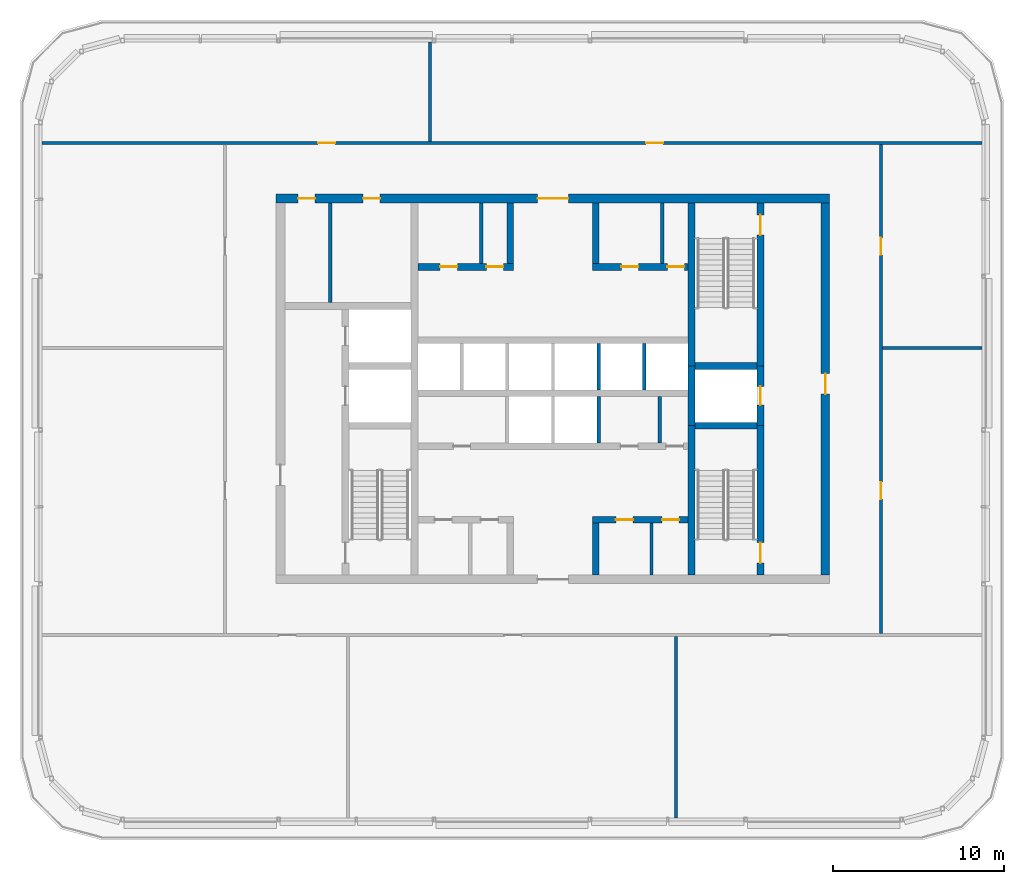
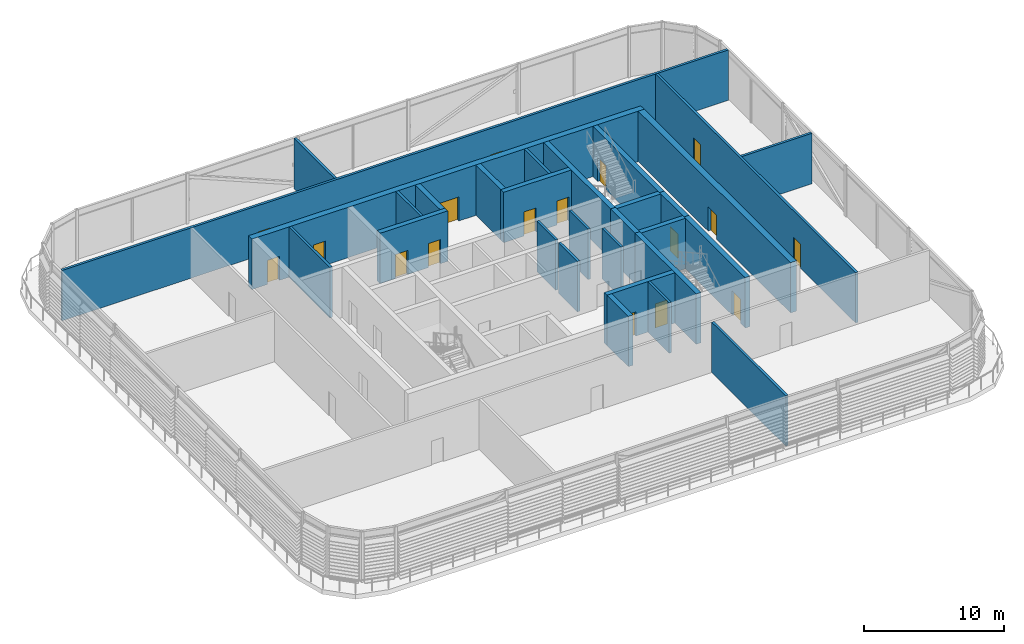
# One storey, part 16 of 29: 29 walls, 17 doors, 17 openings.
"""IFC4 building model written with IfcOpenShell, lengths in metres."""

import ifcopenshell
import ifcopenshell.guid

model = None  # the IFC model being written
_history = None  # IfcOwnerHistory: only IFC2X3 demands one
_inside = {}  # id of a spatial element -> (the spatial element, [elements in it])
_under = {}  # id of a project, library or spatial element -> (it, [spatial elements below it])
_declared = {}  # id of a project -> (the project, [libraries it declares])
_typed = {}  # id of a type object -> (the type object, [elements of that type])
_made_of = {}  # id of a material, layer set ... -> (it, [elements and type objects made of it])


def new_model(schema):
    """Start an empty IFC model of exactly this schema.

    Asked for "IFC4X3", IfcOpenShell would pick the latest addendum, in which some entities
    have other attributes; the version numbers below select the first issue.
    IFC2X3 requires an IfcOwnerHistory on every rooted entity: one is made here for all.
    """
    global model, _history
    if schema == "IFC4X3":
        model = ifcopenshell.file(schema_version=(4, 3, 0, 0))
    else:
        model = ifcopenshell.file(schema=schema)
    _inside.clear()
    _under.clear()
    _declared.clear()
    _typed.clear()
    _made_of.clear()
    _history = None
    if model.schema == "IFC2X3":
        org = make("IfcOrganization", Name="unknown")
        user = make(
            "IfcPersonAndOrganization",
            ThePerson=make("IfcPerson", FamilyName="unknown"),
            TheOrganization=org,
        )
        app = make(
            "IfcApplication",
            ApplicationDeveloper=org,
            Version="unknown",
            ApplicationFullName="unknown",
            ApplicationIdentifier="unknown",
        )
        _history = make(
            "IfcOwnerHistory",
            OwningUser=user,
            OwningApplication=app,
            ChangeAction="ADDED",
            CreationDate=0,
        )
    return model


def make(cls, **values):
    """One entity of the class cls with the attributes given. An attribute that is None is left unset."""
    return model.create_entity(
        cls, **{name: value for name, value in values.items() if value is not None}
    )


def rooted(cls, **values):
    """An entity with a GlobalId (a new one), such as an element, a storey or a relation."""
    return make(cls, GlobalId=ifcopenshell.guid.new(), OwnerHistory=_history, **values)


def si_unit(unit_type, name, prefix=None):
    """IfcSIUnit, for example si_unit("LENGTHUNIT", "METRE", prefix="MILLI")."""
    return make("IfcSIUnit", UnitType=unit_type, Prefix=prefix, Name=name)


def assignment(units):
    """IfcUnitAssignment: the units of a project."""
    return None if units is None else make("IfcUnitAssignment", Units=units)


def point(xyz):
    """IfcCartesianPoint."""
    return None if xyz is None else make("IfcCartesianPoint", Coordinates=xyz)


def direction(xyz):
    """IfcDirection."""
    return None if xyz is None else make("IfcDirection", DirectionRatios=xyz)


def frame(location, z_axis=None, x_axis=None):
    """IfcAxis2Placement3D, a coordinate frame: its origin and axes. An axis left out is left unset."""
    return make(
        "IfcAxis2Placement3D",
        Location=point(location),
        Axis=direction(z_axis),
        RefDirection=direction(x_axis),
    )


def frame_2d(location, x_axis=None):
    """IfcAxis2Placement2D, a coordinate frame in the plane: its origin and x axis."""
    return make(
        "IfcAxis2Placement2D", Location=point(location), RefDirection=direction(x_axis)
    )


def origin():
    """The frame at (0, 0, 0) with its axes left unset."""
    return frame((0.0, 0.0, 0.0))


def place(relative_to, where):
    """IfcLocalPlacement: puts the frame where relative to a parent placement (None: the world)."""
    return make(
        "IfcLocalPlacement", PlacementRelTo=relative_to, RelativePlacement=where
    )


def context(
    kind, dimensions, precision=None, world=None, true_north=None, identifier=None
):
    """IfcGeometricRepresentationContext, for example the 3D "Model" context."""
    return make(
        "IfcGeometricRepresentationContext",
        ContextIdentifier=identifier,
        ContextType=kind,
        CoordinateSpaceDimension=dimensions,
        Precision=precision,
        WorldCoordinateSystem=world,
        TrueNorth=true_north,
    )


def subcontext(parent, identifier, kind, view, scale=None):
    """IfcGeometricRepresentationSubContext, for example "Body" below "Model"."""
    return make(
        "IfcGeometricRepresentationSubContext",
        ContextIdentifier=identifier,
        ContextType=kind,
        ParentContext=parent,
        TargetScale=scale,
        TargetView=view,
    )


def project(units=None, contexts=None):
    """IfcProject with its units and contexts."""
    return rooted(
        "IfcProject",
        Name="project",
        RepresentationContexts=contexts,
        UnitsInContext=assignment(units),
    )


def spatial(cls, under=None, at=None, **own):
    """A site, building, storey or space (cls), placed at a placement, below another one or the project."""
    s = rooted(cls, ObjectPlacement=at, **own)
    if under is not None:
        _under.setdefault(under.id(), (under, []))[1].append(s)
    return s


def profile(cls, at=None, kind="AREA", **sizes):
    """A parametric profile (cls). Its sizes go by their IFC names, for example OverallWidth=200.0."""
    return make(cls, ProfileType=kind, Position=at, **sizes)


def rectangle(**sizes):
    """IfcRectangleProfileDef."""
    return profile("IfcRectangleProfileDef", **sizes)


def extrude(swept, where, along, depth):
    """IfcExtrudedAreaSolid: the profile swept, set in the frame where, extruded along a direction by depth."""
    return make(
        "IfcExtrudedAreaSolid",
        SweptArea=swept,
        Position=where,
        ExtrudedDirection=direction(along),
        Depth=depth,
    )


def shape(context_of_items, identifier, shape_type, items):
    """IfcShapeRepresentation: the items that make up one representation, for example the "Body"."""
    return make(
        "IfcShapeRepresentation",
        ContextOfItems=context_of_items,
        RepresentationIdentifier=identifier,
        RepresentationType=shape_type,
        Items=items,
    )


def material(Name=None, Category=None):
    """IfcMaterial."""
    return make("IfcMaterial", Name=Name, Category=Category)


def layer(
    of_material, thickness, ventilated=None, Name=None, Category=None, Priority=None
):
    """IfcMaterialLayer: one layer of a wall or slab, of a material (None: an air gap)."""
    return make(
        "IfcMaterialLayer",
        Material=of_material,
        LayerThickness=thickness,
        IsVentilated=ventilated,
        Name=Name,
        Category=Category,
        Priority=Priority,
    )


def layer_set(layers, Name=None):
    """IfcMaterialLayerSet."""
    return make("IfcMaterialLayerSet", MaterialLayers=layers, LayerSetName=Name)


def made_of(thing, what):
    """Note that an element or type object is made of a material, layer set ...; save() writes the relation."""
    if what is not None:
        _made_of.setdefault(what.id(), (what, []))[1].append(thing)
    return thing


def type_object(cls, material=None, **own):
    """A type object (cls), such as IfcWallType, which elements share."""
    return made_of(rooted(cls, **own), material)


def element(
    cls,
    number,
    at=None,
    inside=None,
    cuts=None,
    type_object=None,
    material=None,
    context=None,
    identifier="Body",
    shape_type=None,
    held_by="IfcProductDefinitionShape",
    body=None,
    shapes=None,
    **own,
):
    """One element of the class cls, such as IfcWall. Its Tag is "e" and its number.

    at: its placement. inside: the storey or other place that contains it. cuts: it is an
    opening in that element (IfcRelVoidsElement). A single representation is given by context,
    identifier, shape_type and body (its items); several are given by shapes. held_by: the class
    of the entity that holds the representations. save() writes the other relations.
    """
    e = rooted(cls, Tag="e%d" % number, ObjectPlacement=at, **own)
    if body is not None:
        shapes = [shape(context, identifier, shape_type, body)]
    if shapes is not None:
        e.Representation = make(held_by, Representations=shapes)
    if inside is not None:
        _inside.setdefault(inside.id(), (inside, []))[1].append(e)
    if cuts is not None:
        rooted(
            "IfcRelVoidsElement", RelatingBuildingElement=cuts, RelatedOpeningElement=e
        )
    if type_object is not None:
        _typed.setdefault(type_object.id(), (type_object, []))[1].append(e)
    return made_of(e, material)


def fill(opening, filler):
    """IfcRelFillsElement: the door or window that sits in an opening."""
    return rooted(
        "IfcRelFillsElement",
        RelatingOpeningElement=opening,
        RelatedBuildingElement=filler,
    )


def aggregate(whole, parts):
    """IfcRelAggregates: a whole, such as a stair, and the parts it consists of."""
    return rooted("IfcRelAggregates", RelatingObject=whole, RelatedObjects=parts)


def save(model, path):
    """Write the relations noted so far, then the file.

    IfcRelAggregates (storeys below a building ...), IfcRelContainedInSpatialStructure (elements
    in a storey), IfcRelDefinesByType, IfcRelAssociatesMaterial and IfcRelDeclares: one each for
    every whole, place, type object, material and project.
    """
    for whole, parts in _under.values():
        aggregate(whole, parts)
    for where, things in _inside.values():
        rooted(
            "IfcRelContainedInSpatialStructure",
            RelatedElements=things,
            RelatingStructure=where,
        )
    for kind, things in _typed.values():
        rooted("IfcRelDefinesByType", RelatedObjects=things, RelatingType=kind)
    for what, things in _made_of.values():
        rooted("IfcRelAssociatesMaterial", RelatedObjects=things, RelatingMaterial=what)
    for by, libraries in _declared.values():
        rooted("IfcRelDeclares", RelatingContext=by, RelatedDefinitions=libraries)
    model.write(path)


model = new_model("IFC4")

# Units and contexts
model_context = context("Model", 3, precision=1e-05, world=origin(), true_north=direction((0.0, 1.0)))
body_context = subcontext(model_context, "Body", "Model", "MODEL_VIEW")
ifc_project = project(units=[si_unit("LENGTHUNIT", "METRE"), si_unit("AREAUNIT", "SQUARE_METRE"), si_unit("VOLUMEUNIT", "CUBIC_METRE"), si_unit("PLANEANGLEUNIT", "RADIAN"), si_unit("MASSUNIT", "GRAM", prefix="KILO")], contexts=[model_context])

# Site, building, storey
site_placement = place(None, origin())
site = spatial("IfcSite", under=ifc_project, at=site_placement, CompositionType="ELEMENT")
building_placement = place(site_placement, origin())
building = spatial("IfcBuilding", under=site, at=building_placement, Name="Madar Terraces", CompositionType="ELEMENT")
storey_placement = place(building_placement, frame((0.0, 0.0, 296.300048828125)))
storey = spatial("IfcBuildingStorey", under=building, at=storey_placement, Name="L77", CompositionType="ELEMENT", Elevation=296.300048828125)

# Walls
ifc_material_1 = material(Name="Concrete C50/60", Category="concrete")
ifc_layer_1 = layer(ifc_material_1, 0.39990234375)
ifc_layer_set_1 = layer_set([ifc_layer_1], Name="Concrete C50/60 (CIW6 RC wall 400)")
wall_type_1 = type_object("IfcWallType", Name="CIW6 RC wall 400", PredefinedType="SHEAR", material=ifc_layer_set_1)
wall_1_placement = place(storey_placement, frame((39.300048828125, 15.5, 0.0), z_axis=(0.0, 0.0, 1.0), x_axis=(0.0, 1.0, 0.0)))
element("IfcWall", 1, at=wall_1_placement, inside=storey, type_object=wall_type_1, Name="CORE SHAFT WALL", PredefinedType="SHEAR", context=body_context, shape_type="SweptSolid", body=[
    extrude(rectangle(XDim=8.75, YDim=0.39990234375, at=frame_2d((4.375, 0.0))), origin(), (0.0, 0.0, 1.0), 4.39990234375),
])
wall_2_placement = place(storey_placement, frame((39.300048828125, 24.25, 0.0), z_axis=(0.0, 0.0, 1.0), x_axis=(0.0, 1.0, 0.0)))
element("IfcWall", 2, at=wall_2_placement, inside=storey, type_object=wall_type_1, Name="CORE SHAFT WALL", PredefinedType="SHEAR", context=body_context, shape_type="SweptSolid", body=[
    extrude(rectangle(XDim=3.5, YDim=0.39990234375, at=frame_2d((1.75, 0.0))), origin(), (0.0, 0.0, 1.0), 4.39990234375),
])
wall_3_placement = place(storey_placement, frame((39.300048828125, 27.75, 0.0), z_axis=(0.0, 0.0, 1.0), x_axis=(0.0, 1.0, 0.0)))
element("IfcWall", 3, at=wall_3_placement, inside=storey, type_object=wall_type_1, Name="CORE SHAFT WALL", PredefinedType="SHEAR", context=body_context, shape_type="SweptSolid", body=[
    extrude(rectangle(XDim=9.550048828125, YDim=0.39990234375, at=frame_2d((4.77490234375, 0.0))), origin(), (0.0, 0.0, 1.0), 4.39990234375),
])

# Wall, opening, door
wall_4_placement = place(storey_placement, frame((43.35009765625, 15.5, 0.0), z_axis=(0.0, 0.0, 1.0), x_axis=(0.0, 1.0, 0.0)))
wall_4 = element("IfcWall", 4, at=wall_4_placement, inside=storey, type_object=wall_type_1, Name="CORE SHAFT WALL", PredefinedType="SHEAR", context=body_context, shape_type="SweptSolid", body=[
    extrude(rectangle(XDim=8.75, YDim=0.39990234375, at=frame_2d((4.375, 0.0))), origin(), (0.0, 0.0, 1.0), 4.39990234375),
])
opening_1_placement = place(wall_4_placement, frame((0.699951171875, 0.0, 0.0)))
opening_1 = element("IfcOpeningElement", 5, at=opening_1_placement, cuts=wall_4, Name="Opening SD1", PredefinedType="OPENING", context=body_context, shape_type="SweptSolid", body=[
    extrude(rectangle(XDim=1.199951171875, YDim=2.10009765625, at=frame_2d((0.60009765625, 1.050048828125))), frame((0.0, 0.2099609375, 0.0), z_axis=(0.0, -1.0, 0.0), x_axis=(1.0, 0.0, 0.0)), (0.0, 0.0, 1.0), 0.419921875),
])
ifc_material_2 = material(Name="Steel door leaf", Category="steel")
door_type_1 = type_object("IfcDoorType", Name="Stair door 1200 x 2100", OperationType="NOTDEFINED", PredefinedType="DOOR", material=ifc_material_2)
door_1_placement = place(opening_1_placement, origin())
door_1 = element("IfcDoor", 6, at=door_1_placement, inside=storey, type_object=door_type_1, Name="STAIR DOOR", OperationType="SINGLE_SWING_RIGHT", OverallHeight=2.10009765625, OverallWidth=1.199951171875, PredefinedType="DOOR", context=body_context, shape_type="SweptSolid", body=[
    extrude(rectangle(XDim=1.199951171875, YDim=2.10009765625, at=frame_2d((0.60009765625, 1.050048828125))), frame((0.0, 0.02490234375, 0.0), z_axis=(0.0, -1.0, 0.0), x_axis=(1.0, 0.0, 0.0)), (0.0, 0.0, 1.0), 0.050048828125),
])
fill(opening_1, door_1)

wall_5_placement = place(storey_placement, frame((43.35009765625, 24.25, 0.0), z_axis=(0.0, 0.0, 1.0), x_axis=(0.0, 1.0, 0.0)))
wall_5 = element("IfcWall", 7, at=wall_5_placement, inside=storey, type_object=wall_type_1, Name="CORE SHAFT WALL", PredefinedType="SHEAR", context=body_context, shape_type="SweptSolid", body=[
    extrude(rectangle(XDim=3.5, YDim=0.39990234375, at=frame_2d((1.75, 0.0))), origin(), (0.0, 0.0, 1.0), 4.39990234375),
])
opening_2_placement = place(wall_5_placement, frame((1.199951171875, 0.0, 0.0)))
opening_2 = element("IfcOpeningElement", 8, at=opening_2_placement, cuts=wall_5, Name="Opening LD", PredefinedType="OPENING", context=body_context, shape_type="SweptSolid", body=[
    extrude(rectangle(XDim=1.10009765625, YDim=2.10009765625, at=frame_2d((0.550048828125, 1.050048828125))), frame((0.0, 0.2099609375, 0.0), z_axis=(0.0, -1.0, 0.0), x_axis=(1.0, 0.0, 0.0)), (0.0, 0.0, 1.0), 0.419921875),
])
ifc_material_3 = material(Name="Stainless steel panel", Category="steel")
door_type_2 = type_object("IfcDoorType", Name="Lift landing door 1100 x 2100", OperationType="DOUBLE_DOOR_SLIDING", PredefinedType="DOOR", material=ifc_material_3)
door_2_placement = place(opening_2_placement, origin())
door_2 = element("IfcDoor", 9, at=door_2_placement, inside=storey, type_object=door_type_2, Name="LIFT LANDING DOOR", OperationType="DOUBLE_DOOR_SLIDING", OverallHeight=2.10009765625, OverallWidth=1.10009765625, PredefinedType="DOOR", context=body_context, shape_type="SweptSolid", body=[
    extrude(rectangle(XDim=1.10009765625, YDim=2.10009765625, at=frame_2d((0.550048828125, 1.050048828125))), frame((0.0, 0.02490234375, 0.0), z_axis=(0.0, -1.0, 0.0), x_axis=(1.0, 0.0, 0.0)), (0.0, 0.0, 1.0), 0.050048828125),
])
fill(opening_2, door_2)

wall_6_placement = place(storey_placement, frame((43.35009765625, 27.75, 0.0), z_axis=(0.0, 0.0, 1.0), x_axis=(0.0, 1.0, 0.0)))
wall_6 = element("IfcWall", 10, at=wall_6_placement, inside=storey, type_object=wall_type_1, Name="CORE SHAFT WALL", PredefinedType="SHEAR", context=body_context, shape_type="SweptSolid", body=[
    extrude(rectangle(XDim=9.550048828125, YDim=0.39990234375, at=frame_2d((4.77490234375, 0.0))), origin(), (0.0, 0.0, 1.0), 4.39990234375),
])
opening_3_placement = place(wall_6_placement, frame((7.64990234375, 0.0, 0.0)))
opening_3 = element("IfcOpeningElement", 11, at=opening_3_placement, cuts=wall_6, Name="Opening SD1", PredefinedType="OPENING", context=body_context, shape_type="SweptSolid", body=[
    extrude(rectangle(XDim=1.199951171875, YDim=2.10009765625, at=frame_2d((0.60009765625, 1.050048828125))), frame((0.0, 0.2099609375, 0.0), z_axis=(0.0, -1.0, 0.0), x_axis=(1.0, 0.0, 0.0)), (0.0, 0.0, 1.0), 0.419921875),
])
door_3_placement = place(opening_3_placement, origin())
door_3 = element("IfcDoor", 12, at=door_3_placement, inside=storey, type_object=door_type_1, Name="STAIR DOOR", OperationType="SINGLE_SWING_LEFT", OverallHeight=2.10009765625, OverallWidth=1.199951171875, PredefinedType="DOOR", context=body_context, shape_type="SweptSolid", body=[
    extrude(rectangle(XDim=1.199951171875, YDim=2.10009765625, at=frame_2d((0.60009765625, 1.050048828125))), frame((0.0, 0.02490234375, 0.0), z_axis=(0.0, -1.0, 0.0), x_axis=(1.0, 0.0, 0.0)), (0.0, 0.0, 1.0), 0.050048828125),
])
fill(opening_3, door_3)

# Walls
for number, where, z_axis, x_axis, name in (
    (13, (39.5, 24.25, 0.0), (0.0, 0.0, 1.0), (1.0, 0.0, 0.0), "CORE SHAFT WALL"),
    (14, (39.5, 27.75, 0.0), (0.0, 0.0, 1.0), (1.0, 0.0, 0.0), "CORE SHAFT WALL"),
):
    element("IfcWall", number, at=place(storey_placement, frame(where, z_axis=z_axis, x_axis=x_axis)), inside=storey, type_object=wall_type_1, Name=name, PredefinedType="SHEAR", context=body_context, shape_type="SweptSolid", body=[
        extrude(rectangle(XDim=3.64990234375, YDim=0.39990234375, at=frame_2d((1.824951171875, 0.0))), origin(), (0.0, 0.0, 1.0), 4.39990234375),
    ])

# Wall, openings, doors
wall_7_placement = place(storey_placement, frame((33.5, 18.75, 0.0), z_axis=(0.0, 0.0, 1.0), x_axis=(1.0, 0.0, 0.0)))
wall_7 = element("IfcWall", 15, at=wall_7_placement, inside=storey, type_object=wall_type_1, Name="CORE SHAFT WALL", PredefinedType="SHEAR", context=body_context, shape_type="SweptSolid", body=[
    extrude(rectangle(XDim=5.60009765625, YDim=0.39990234375, at=frame_2d((2.800048828125, 0.0))), origin(), (0.0, 0.0, 1.0), 4.39990234375),
])
opening_4_placement = place(wall_7_placement, frame((1.384033203125, 0.0, 0.0)))
opening_4 = element("IfcOpeningElement", 16, at=opening_4_placement, cuts=wall_7, Name="Opening KD2", PredefinedType="OPENING", context=body_context, shape_type="SweptSolid", body=[
    extrude(rectangle(XDim=1.0, YDim=2.10009765625, at=frame_2d((0.5, 1.050048828125))), frame((0.0, 0.2099609375, 0.0), z_axis=(0.0, -1.0, 0.0), x_axis=(1.0, 0.0, 0.0)), (0.0, 0.0, 1.0), 0.419921875),
])
opening_5_placement = place(wall_7_placement, frame((4.083984375, 0.0, 0.0)))
opening_5 = element("IfcOpeningElement", 17, at=opening_5_placement, cuts=wall_7, Name="Opening KD2", PredefinedType="OPENING", context=body_context, shape_type="SweptSolid", body=[
    extrude(rectangle(XDim=1.0, YDim=2.10009765625, at=frame_2d((0.5, 1.050048828125))), frame((0.0, 0.2099609375, 0.0), z_axis=(0.0, -1.0, 0.0), x_axis=(1.0, 0.0, 0.0)), (0.0, 0.0, 1.0), 0.419921875),
])
ifc_material_4 = material(Name="Steel door leaf", Category="steel")
door_type_3 = type_object("IfcDoorType", Name="Service room door 1000 x 2100", OperationType="NOTDEFINED", PredefinedType="DOOR", material=ifc_material_4)
door_4_placement = place(opening_4_placement, origin())
door_4 = element("IfcDoor", 18, at=door_4_placement, inside=storey, type_object=door_type_3, Name="SERVICE ROOM DOOR", OperationType="SINGLE_SWING_LEFT", OverallHeight=2.10009765625, OverallWidth=1.0, PredefinedType="DOOR", context=body_context, shape_type="SweptSolid", body=[
    extrude(rectangle(XDim=1.0, YDim=2.10009765625, at=frame_2d((0.5, 1.050048828125))), frame((0.0, 0.02490234375, 0.0), z_axis=(0.0, -1.0, 0.0), x_axis=(1.0, 0.0, 0.0)), (0.0, 0.0, 1.0), 0.050048828125),
])
fill(opening_4, door_4)
door_5_placement = place(opening_5_placement, origin())
door_5 = element("IfcDoor", 19, at=door_5_placement, inside=storey, type_object=door_type_3, Name="SERVICE ROOM DOOR", OperationType="SINGLE_SWING_RIGHT", OverallHeight=2.10009765625, OverallWidth=1.0, PredefinedType="DOOR", context=body_context, shape_type="SweptSolid", body=[
    extrude(rectangle(XDim=1.0, YDim=2.10009765625, at=frame_2d((0.5, 1.050048828125))), frame((0.0, 0.02490234375, 0.0), z_axis=(0.0, -1.0, 0.0), x_axis=(1.0, 0.0, 0.0)), (0.0, 0.0, 1.0), 0.050048828125),
])
fill(opening_5, door_5)

wall_8_placement = place(storey_placement, frame((23.300048828125, 33.550048828125, 0.0), z_axis=(0.0, 0.0, 1.0), x_axis=(1.0, 0.0, 0.0)))
wall_8 = element("IfcWall", 20, at=wall_8_placement, inside=storey, type_object=wall_type_1, Name="CORE SHAFT WALL", PredefinedType="SHEAR", context=body_context, shape_type="SweptSolid", body=[
    extrude(rectangle(XDim=5.599853515625, YDim=0.39990234375, at=frame_2d((2.7998046875, 0.0))), origin(), (0.0, 0.0, 1.0), 4.39990234375),
])
opening_6_placement = place(wall_8_placement, frame((1.2958984375, 0.0, 0.0)))
opening_6 = element("IfcOpeningElement", 21, at=opening_6_placement, cuts=wall_8, Name="Opening KD2", PredefinedType="OPENING", context=body_context, shape_type="SweptSolid", body=[
    extrude(rectangle(XDim=1.0, YDim=2.10009765625, at=frame_2d((0.5, 1.050048828125))), frame((0.0, 0.2099609375, 0.0), z_axis=(0.0, -1.0, 0.0), x_axis=(1.0, 0.0, 0.0)), (0.0, 0.0, 1.0), 0.419921875),
])
opening_7_placement = place(wall_8_placement, frame((3.99609375, 0.0, 0.0)))
opening_7 = element("IfcOpeningElement", 22, at=opening_7_placement, cuts=wall_8, Name="Opening KD2", PredefinedType="OPENING", context=body_context, shape_type="SweptSolid", body=[
    extrude(rectangle(XDim=1.0, YDim=2.10009765625, at=frame_2d((0.5, 1.050048828125))), frame((0.0, 0.2099609375, 0.0), z_axis=(0.0, -1.0, 0.0), x_axis=(1.0, 0.0, 0.0)), (0.0, 0.0, 1.0), 0.419921875),
])
door_6_placement = place(opening_6_placement, frame((1.0, 0.0, 0.0), z_axis=(0.0, 0.0, 1.0), x_axis=(-1.0, 0.0, 0.0)))
door_6 = element("IfcDoor", 23, at=door_6_placement, inside=storey, type_object=door_type_3, Name="SERVICE ROOM DOOR", OperationType="SINGLE_SWING_LEFT", OverallHeight=2.10009765625, OverallWidth=1.0, PredefinedType="DOOR", context=body_context, shape_type="SweptSolid", body=[
    extrude(rectangle(XDim=1.0, YDim=2.10009765625, at=frame_2d((0.5, 1.050048828125))), frame((0.0, 0.02490234375, 0.0), z_axis=(0.0, -1.0, 0.0), x_axis=(1.0, 0.0, 0.0)), (0.0, 0.0, 1.0), 0.050048828125),
])
fill(opening_6, door_6)
door_7_placement = place(opening_7_placement, frame((1.0, 0.0, 0.0), z_axis=(0.0, 0.0, 1.0), x_axis=(-1.0, 0.0, 0.0)))
door_7 = element("IfcDoor", 24, at=door_7_placement, inside=storey, type_object=door_type_3, Name="SERVICE ROOM DOOR", OperationType="SINGLE_SWING_RIGHT", OverallHeight=2.10009765625, OverallWidth=1.0, PredefinedType="DOOR", context=body_context, shape_type="SweptSolid", body=[
    extrude(rectangle(XDim=1.0, YDim=2.10009765625, at=frame_2d((0.5, 1.050048828125))), frame((0.0, 0.02490234375, 0.0), z_axis=(0.0, -1.0, 0.0), x_axis=(1.0, 0.0, 0.0)), (0.0, 0.0, 1.0), 0.050048828125),
])
fill(opening_7, door_7)

wall_9_placement = place(storey_placement, frame((33.5, 33.550048828125, 0.0), z_axis=(0.0, 0.0, 1.0), x_axis=(1.0, 0.0, 0.0)))
wall_9 = element("IfcWall", 25, at=wall_9_placement, inside=storey, type_object=wall_type_1, Name="CORE SHAFT WALL", PredefinedType="SHEAR", context=body_context, shape_type="SweptSolid", body=[
    extrude(rectangle(XDim=5.60009765625, YDim=0.39990234375, at=frame_2d((2.800048828125, 0.0))), origin(), (0.0, 0.0, 1.0), 4.39990234375),
])
opening_8_placement = place(wall_9_placement, frame((1.696044921875, 0.0, 0.0)))
opening_8 = element("IfcOpeningElement", 26, at=opening_8_placement, cuts=wall_9, Name="Opening KD2", PredefinedType="OPENING", context=body_context, shape_type="SweptSolid", body=[
    extrude(rectangle(XDim=1.0, YDim=2.10009765625, at=frame_2d((0.5, 1.050048828125))), frame((0.0, 0.2099609375, 0.0), z_axis=(0.0, -1.0, 0.0), x_axis=(1.0, 0.0, 0.0)), (0.0, 0.0, 1.0), 0.419921875),
])
opening_9_placement = place(wall_9_placement, frame((4.39599609375, 0.0, 0.0)))
opening_9 = element("IfcOpeningElement", 27, at=opening_9_placement, cuts=wall_9, Name="Opening KD2", PredefinedType="OPENING", context=body_context, shape_type="SweptSolid", body=[
    extrude(rectangle(XDim=1.0, YDim=2.10009765625, at=frame_2d((0.5, 1.050048828125))), frame((0.0, 0.2099609375, 0.0), z_axis=(0.0, -1.0, 0.0), x_axis=(1.0, 0.0, 0.0)), (0.0, 0.0, 1.0), 0.419921875),
])
door_8_placement = place(opening_8_placement, frame((1.0, 0.0, 0.0), z_axis=(0.0, 0.0, 1.0), x_axis=(-1.0, 0.0, 0.0)))
door_8 = element("IfcDoor", 28, at=door_8_placement, inside=storey, type_object=door_type_3, Name="SERVICE ROOM DOOR", OperationType="SINGLE_SWING_LEFT", OverallHeight=2.10009765625, OverallWidth=1.0, PredefinedType="DOOR", context=body_context, shape_type="SweptSolid", body=[
    extrude(rectangle(XDim=1.0, YDim=2.10009765625, at=frame_2d((0.5, 1.050048828125))), frame((0.0, 0.02490234375, 0.0), z_axis=(0.0, -1.0, 0.0), x_axis=(1.0, 0.0, 0.0)), (0.0, 0.0, 1.0), 0.050048828125),
])
fill(opening_8, door_8)
door_9_placement = place(opening_9_placement, frame((1.0, 0.0, 0.0), z_axis=(0.0, 0.0, 1.0), x_axis=(-1.0, 0.0, 0.0)))
door_9 = element("IfcDoor", 29, at=door_9_placement, inside=storey, type_object=door_type_3, Name="SERVICE ROOM DOOR", OperationType="SINGLE_SWING_RIGHT", OverallHeight=2.10009765625, OverallWidth=1.0, PredefinedType="DOOR", context=body_context, shape_type="SweptSolid", body=[
    extrude(rectangle(XDim=1.0, YDim=2.10009765625, at=frame_2d((0.5, 1.050048828125))), frame((0.0, 0.02490234375, 0.0), z_axis=(0.0, -1.0, 0.0), x_axis=(1.0, 0.0, 0.0)), (0.0, 0.0, 1.0), 0.050048828125),
])
fill(opening_9, door_9)

# Walls
wall_10_placement = place(storey_placement, frame((33.699951171875, 15.5, 0.0), z_axis=(0.0, 0.0, 1.0), x_axis=(0.0, 1.0, 0.0)))
element("IfcWall", 30, at=wall_10_placement, inside=storey, type_object=wall_type_1, Name="CORE SHAFT WALL", PredefinedType="SHEAR", context=body_context, shape_type="SweptSolid", body=[
    extrude(rectangle(XDim=3.050048828125, YDim=0.39990234375, at=frame_2d((1.52490234375, 0.0))), origin(), (0.0, 0.0, 1.0), 4.39990234375),
])
for number, where, z_axis, x_axis, name in (
    (31, (28.699951171875, 33.75, 0.0), (0.0, 0.0, 1.0), (0.0, 1.0, 0.0), "CORE SHAFT WALL"),
    (32, (33.699951171875, 33.75, 0.0), (0.0, 0.0, 1.0), (0.0, 1.0, 0.0), "CORE SHAFT WALL"),
):
    element("IfcWall", number, at=place(storey_placement, frame(where, z_axis=z_axis, x_axis=x_axis)), inside=storey, type_object=wall_type_1, Name=name, PredefinedType="SHEAR", context=body_context, shape_type="SweptSolid", body=[
        extrude(rectangle(XDim=3.550048828125, YDim=0.39990234375, at=frame_2d((1.77490234375, 0.0))), origin(), (0.0, 0.0, 1.0), 4.39990234375),
    ])

# Wall, openings, doors
ifc_material_5 = material(Name="Concrete C50/60", Category="concrete")
ifc_layer_2 = layer(ifc_material_5, 0.5)
ifc_layer_set_2 = layer_set([ifc_layer_2], Name="Concrete C50/60 (CRW6 RC wall 500)")
wall_type_2 = type_object("IfcWallType", Name="CRW6 RC wall 500", PredefinedType="SHEAR", material=ifc_layer_set_2)
wall_11_placement = place(storey_placement, frame((15.0, 37.550048828125, 0.0), z_axis=(0.0, 0.0, 1.0), x_axis=(1.0, 0.0, 0.0)))
wall_11 = element("IfcWall", 33, at=wall_11_placement, inside=storey, type_object=wall_type_2, Name="CORE OUTER WALL", PredefinedType="SHEAR", context=body_context, shape_type="SweptSolid", body=[
    extrude(rectangle(XDim=32.39990234375, YDim=0.5, at=frame_2d((16.199951171875, 0.0))), origin(), (0.0, 0.0, 1.0), 4.39990234375),
])
opening_10_placement = place(wall_11_placement, frame((15.300048828125, 0.0, 0.0)))
opening_10 = element("IfcOpeningElement", 34, at=opening_10_placement, cuts=wall_11, Name="Opening KD1", PredefinedType="OPENING", context=body_context, shape_type="SweptSolid", body=[
    extrude(rectangle(XDim=1.800048828125, YDim=2.10009765625, at=frame_2d((0.89990234375, 1.050048828125))), frame((0.0, 0.260009765625, 0.0), z_axis=(0.0, -1.0, 0.0), x_axis=(1.0, 0.0, 0.0)), (0.0, 0.0, 1.0), 0.52001953125),
])
opening_11_placement = place(wall_11_placement, frame((1.281982421875, 0.0, 0.0)))
opening_11 = element("IfcOpeningElement", 35, at=opening_11_placement, cuts=wall_11, Name="Opening KD2", PredefinedType="OPENING", context=body_context, shape_type="SweptSolid", body=[
    extrude(rectangle(XDim=1.0, YDim=2.10009765625, at=frame_2d((0.5, 1.050048828125))), frame((0.0, 0.260009765625, 0.0), z_axis=(0.0, -1.0, 0.0), x_axis=(1.0, 0.0, 0.0)), (0.0, 0.0, 1.0), 0.52001953125),
])
opening_12_placement = place(wall_11_placement, frame((5.08203125, 0.0, 0.0)))
opening_12 = element("IfcOpeningElement", 36, at=opening_12_placement, cuts=wall_11, Name="Opening KD2", PredefinedType="OPENING", context=body_context, shape_type="SweptSolid", body=[
    extrude(rectangle(XDim=1.0, YDim=2.10009765625, at=frame_2d((0.5, 1.050048828125))), frame((0.0, 0.260009765625, 0.0), z_axis=(0.0, -1.0, 0.0), x_axis=(1.0, 0.0, 0.0)), (0.0, 0.0, 1.0), 0.52001953125),
])
ifc_material_6 = material(Name="Steel door leaf", Category="steel")
door_type_4 = type_object("IfcDoorType", Name="Lobby door pair 1800 x 2100", OperationType="DOUBLE_DOOR_SINGLE_SWING", PredefinedType="DOOR", material=ifc_material_6)
door_10_placement = place(opening_10_placement, origin())
door_10 = element("IfcDoor", 37, at=door_10_placement, inside=storey, type_object=door_type_4, Name="LIFT LOBBY DOOR", OperationType="DOUBLE_DOOR_SINGLE_SWING", OverallHeight=2.10009765625, OverallWidth=1.800048828125, PredefinedType="DOOR", context=body_context, shape_type="SweptSolid", body=[
    extrude(rectangle(XDim=1.800048828125, YDim=2.10009765625, at=frame_2d((0.89990234375, 1.050048828125))), frame((0.0, 0.02490234375, 0.0), z_axis=(0.0, -1.0, 0.0), x_axis=(1.0, 0.0, 0.0)), (0.0, 0.0, 1.0), 0.050048828125),
])
fill(opening_10, door_10)
door_11_placement = place(opening_11_placement, origin())
door_11 = element("IfcDoor", 38, at=door_11_placement, inside=storey, type_object=door_type_3, Name="SERVICE ROOM DOOR", OperationType="SINGLE_SWING_RIGHT", OverallHeight=2.10009765625, OverallWidth=1.0, PredefinedType="DOOR", context=body_context, shape_type="SweptSolid", body=[
    extrude(rectangle(XDim=1.0, YDim=2.10009765625, at=frame_2d((0.5, 1.050048828125))), frame((0.0, 0.02490234375, 0.0), z_axis=(0.0, -1.0, 0.0), x_axis=(1.0, 0.0, 0.0)), (0.0, 0.0, 1.0), 0.050048828125),
])
fill(opening_11, door_11)
door_12_placement = place(opening_12_placement, origin())
door_12 = element("IfcDoor", 39, at=door_12_placement, inside=storey, type_object=door_type_3, Name="SERVICE ROOM DOOR", OperationType="SINGLE_SWING_LEFT", OverallHeight=2.10009765625, OverallWidth=1.0, PredefinedType="DOOR", context=body_context, shape_type="SweptSolid", body=[
    extrude(rectangle(XDim=1.0, YDim=2.10009765625, at=frame_2d((0.5, 1.050048828125))), frame((0.0, 0.02490234375, 0.0), z_axis=(0.0, -1.0, 0.0), x_axis=(1.0, 0.0, 0.0)), (0.0, 0.0, 1.0), 0.050048828125),
])
fill(opening_12, door_12)

# Wall, opening, door
wall_12_placement = place(storey_placement, frame((47.14990234375, 15.5, 0.0), z_axis=(0.0, 0.0, 1.0), x_axis=(0.0, 1.0, 0.0)))
wall_12 = element("IfcWall", 40, at=wall_12_placement, inside=storey, type_object=wall_type_2, Name="CORE OUTER WALL", PredefinedType="SHEAR", context=body_context, shape_type="SweptSolid", body=[
    extrude(rectangle(XDim=21.800048828125, YDim=0.5, at=frame_2d((10.89990234375, 0.0))), origin(), (0.0, 0.0, 1.0), 4.39990234375),
])
opening_13_placement = place(wall_12_placement, frame((10.60009765625, 0.0, 0.0)))
opening_13 = element("IfcOpeningElement", 41, at=opening_13_placement, cuts=wall_12, Name="Opening SD1", PredefinedType="OPENING", context=body_context, shape_type="SweptSolid", body=[
    extrude(rectangle(XDim=1.199951171875, YDim=2.10009765625, at=frame_2d((0.60009765625, 1.050048828125))), frame((0.0, 0.260009765625, 0.0), z_axis=(0.0, -1.0, 0.0), x_axis=(1.0, 0.0, 0.0)), (0.0, 0.0, 1.0), 0.52001953125),
])
door_13_placement = place(opening_13_placement, origin())
door_13 = element("IfcDoor", 42, at=door_13_placement, inside=storey, type_object=door_type_1, Name="STAIR DOOR", OperationType="SINGLE_SWING_LEFT", OverallHeight=2.10009765625, OverallWidth=1.199951171875, PredefinedType="DOOR", context=body_context, shape_type="SweptSolid", body=[
    extrude(rectangle(XDim=1.199951171875, YDim=2.10009765625, at=frame_2d((0.60009765625, 1.050048828125))), frame((0.0, 0.02490234375, 0.0), z_axis=(0.0, -1.0, 0.0), x_axis=(1.0, 0.0, 0.0)), (0.0, 0.0, 1.0), 0.050048828125),
])
fill(opening_13, door_13)

# Walls
ifc_material_7 = material(Name="Masonry blockwork", Category="masonry")
ifc_layer_3 = layer(ifc_material_7, 0.199951171875)
ifc_layer_set_3 = layer_set([ifc_layer_3], Name="Core partition 200 blockwork")
wall_type_3 = type_object("IfcWallType", Name="Core partition 200 blockwork", PredefinedType="PARTITIONING", material=ifc_layer_set_3)
wall_13_placement = place(storey_placement, frame((18.1640625, 31.449951171875, 0.0), z_axis=(0.0, 0.0, 1.0), x_axis=(0.0, 1.0, 0.0)))
element("IfcWall", 43, at=wall_13_placement, inside=storey, type_object=wall_type_3, Name="SERVICE ROOM PARTITION", PredefinedType="PARTITIONING", context=body_context, shape_type="SweptSolid", body=[
    extrude(rectangle(XDim=5.85009765625, YDim=0.199951171875, at=frame_2d((2.925048828125, 0.0))), origin(), (0.0, 0.0, 1.0), 4.39990234375),
])
wall_14_placement = place(storey_placement, frame((37.457275390625, 23.25, 0.0), z_axis=(0.0, 0.0, 1.0), x_axis=(0.0, 1.0, 0.0)))
element("IfcWall", 44, at=wall_14_placement, inside=storey, type_object=wall_type_3, Name="SERVICE ROOM PARTITION", PredefinedType="PARTITIONING", context=body_context, shape_type="SweptSolid", body=[
    extrude(rectangle(XDim=2.699951171875, YDim=0.199951171875, at=frame_2d((1.35009765625, 0.0))), origin(), (0.0, 0.0, 1.0), 4.39990234375),
])
wall_15_placement = place(storey_placement, frame((36.968017578125, 15.5, 0.0), z_axis=(0.0, 0.0, 1.0), x_axis=(0.0, 1.0, 0.0)))
element("IfcWall", 45, at=wall_15_placement, inside=storey, type_object=wall_type_3, Name="SERVICE ROOM PARTITION", PredefinedType="PARTITIONING", context=body_context, shape_type="SweptSolid", body=[
    extrude(rectangle(XDim=3.050048828125, YDim=0.199951171875, at=frame_2d((1.52490234375, 0.0))), origin(), (0.0, 0.0, 1.0), 4.39990234375),
])
for number, where, z_axis, x_axis, name in (
    (46, (26.991943359375, 33.75, 0.0), (0.0, 0.0, 1.0), (0.0, 1.0, 0.0), "SERVICE ROOM PARTITION"),
    (47, (37.592041015625, 33.75, 0.0), (0.0, 0.0, 1.0), (0.0, 1.0, 0.0), "SERVICE ROOM PARTITION"),
):
    element("IfcWall", number, at=place(storey_placement, frame(where, z_axis=z_axis, x_axis=x_axis)), inside=storey, type_object=wall_type_3, Name=name, PredefinedType="PARTITIONING", context=body_context, shape_type="SweptSolid", body=[
        extrude(rectangle(XDim=3.550048828125, YDim=0.199951171875, at=frame_2d((1.77490234375, 0.0))), origin(), (0.0, 0.0, 1.0), 4.39990234375),
    ])
ifc_material_8 = material(Name="Concrete C40/50", Category="concrete")
ifc_layer_4 = layer(ifc_material_8, 0.199951171875)
ifc_layer_set_4 = layer_set([ifc_layer_4], Name="Core shaft dividing wall 200 C40/50")
wall_type_4 = type_object("IfcWallType", Name="Core shaft dividing wall 200 C40/50", PredefinedType="SOLIDWALL", material=ifc_layer_set_4)
for number, where, z_axis, x_axis, name in (
    (48, (33.86669921875, 23.25, 0.0), (0.0, 0.0, 1.0), (0.0, 1.0, 0.0), "SHAFT DIVIDING WALL"),
    (49, (33.86669921875, 26.35009765625, 0.0), (0.0, 0.0, 1.0), (0.0, 1.0, 0.0), "SHAFT DIVIDING WALL"),
    (50, (36.533447265625, 26.35009765625, 0.0), (0.0, 0.0, 1.0), (0.0, 1.0, 0.0), "SHAFT DIVIDING WALL"),
):
    element("IfcWall", number, at=place(storey_placement, frame(where, z_axis=z_axis, x_axis=x_axis)), inside=storey, type_object=wall_type_4, Name=name, PredefinedType="SOLIDWALL", context=body_context, shape_type="SweptSolid", body=[
        extrude(rectangle(XDim=2.699951171875, YDim=0.199951171875, at=frame_2d((1.35009765625, 0.0))), origin(), (0.0, 0.0, 1.0), 4.39990234375),
    ])
ifc_material_9 = material(Name="Blockwork", Category="masonry")
ifc_layer_5 = layer(ifc_material_9, 0.199951171875)
ifc_layer_set_5 = layer_set([ifc_layer_5], Name="Partition 200 EI 120")
wall_type_5 = type_object("IfcWallType", Name="Partition 200 EI 120", PredefinedType="PARTITIONING", material=ifc_layer_set_5)
wall_16_placement = place(storey_placement, frame((50.5, 28.800048828125, 0.0), z_axis=(0.0, 0.0, 1.0), x_axis=(1.0, 0.0, 0.0)))
element("IfcWall", 51, at=wall_16_placement, inside=storey, type_object=wall_type_5, Name="Wall COMMS PLANT ROOM / ELECTRICAL PLANT ROOM", PredefinedType="PARTITIONING", context=body_context, shape_type="SweptSolid", body=[
    extrude(rectangle(XDim=5.800048828125, YDim=0.199951171875, at=frame_2d((2.89990234375, 0.0))), origin(), (0.0, 0.0, 1.0), 4.39990234375),
])

# Wall, openings, doors
wall_17_placement = place(storey_placement, frame((1.300048828125, 40.800048828125, 0.0), z_axis=(0.0, 0.0, 1.0), x_axis=(1.0, 0.0, 0.0)))
wall_17 = element("IfcWall", 52, at=wall_17_placement, inside=storey, type_object=wall_type_5, Name="Wall ELECTRICAL PLANT ROOM + PUMP PLANT ROOM", PredefinedType="PARTITIONING", context=body_context, shape_type="SweptSolid", body=[
    extrude(rectangle(XDim=55.0, YDim=0.199951171875, at=frame_2d((27.5, 0.0))), origin(), (0.0, 0.0, 1.0), 4.39990234375),
])
opening_14_placement = place(wall_17_placement, frame((16.14990234375, 0.0, 0.0)))
opening_14 = element("IfcOpeningElement", 53, at=opening_14_placement, cuts=wall_17, Name="Opening D33", PredefinedType="OPENING", context=body_context, shape_type="SweptSolid", body=[
    extrude(rectangle(XDim=1.0, YDim=2.10009765625, at=frame_2d((0.5, 1.050048828125))), frame((0.0, 0.10986328125, 0.0), z_axis=(0.0, -1.0, 0.0), x_axis=(1.0, 0.0, 0.0)), (0.0, 0.0, 1.0), 0.219970703125),
])
opening_15_placement = place(wall_17_placement, frame((35.35009765625, 0.0, 0.0)))
opening_15 = element("IfcOpeningElement", 54, at=opening_15_placement, cuts=wall_17, Name="Opening D33", PredefinedType="OPENING", context=body_context, shape_type="SweptSolid", body=[
    extrude(rectangle(XDim=1.0, YDim=2.10009765625, at=frame_2d((0.5, 1.050048828125))), frame((0.0, 0.10986328125, 0.0), z_axis=(0.0, -1.0, 0.0), x_axis=(1.0, 0.0, 0.0)), (0.0, 0.0, 1.0), 0.219970703125),
])
ifc_material_10 = material(Name="Timber door leaf, fire-rated", Category="wood")
door_type_5 = type_object("IfcDoorType", Name="Podium door 1000 x 2100 FD90S", OperationType="NOTDEFINED", PredefinedType="DOOR", material=ifc_material_10)
door_14_placement = place(opening_14_placement, origin())
door_14 = element("IfcDoor", 55, at=door_14_placement, inside=storey, type_object=door_type_5, Name="Door WATER TANK ROOM / RING CORRIDOR", OperationType="SINGLE_SWING_LEFT", OverallHeight=2.10009765625, OverallWidth=1.0, PredefinedType="DOOR", context=body_context, shape_type="SweptSolid", body=[
    extrude(rectangle(XDim=1.0, YDim=2.10009765625, at=frame_2d((0.5, 1.050048828125))), frame((0.0, 0.02490234375, 0.0), z_axis=(0.0, -1.0, 0.0), x_axis=(1.0, 0.0, 0.0)), (0.0, 0.0, 1.0), 0.050048828125),
])
fill(opening_14, door_14)
door_15_placement = place(opening_15_placement, origin())
door_15 = element("IfcDoor", 56, at=door_15_placement, inside=storey, type_object=door_type_5, Name="Door PUMP PLANT ROOM / RING CORRIDOR", OperationType="SINGLE_SWING_LEFT", OverallHeight=2.10009765625, OverallWidth=1.0, PredefinedType="DOOR", context=body_context, shape_type="SweptSolid", body=[
    extrude(rectangle(XDim=1.0, YDim=2.10009765625, at=frame_2d((0.5, 1.050048828125))), frame((0.0, 0.02490234375, 0.0), z_axis=(0.0, -1.0, 0.0), x_axis=(1.0, 0.0, 0.0)), (0.0, 0.0, 1.0), 0.050048828125),
])
fill(opening_15, door_15)

# Walls
wall_18_placement = place(storey_placement, frame((24.0, 40.89990234375, 0.0), z_axis=(0.0, 0.0, 1.0), x_axis=(0.0, 1.0, 0.0)))
element("IfcWall", 57, at=wall_18_placement, inside=storey, type_object=wall_type_5, Name="Wall WATER TANK ROOM / PUMP PLANT ROOM", PredefinedType="PARTITIONING", context=body_context, shape_type="SweptSolid", body=[
    extrude(rectangle(XDim=5.800048828125, YDim=0.199951171875, at=frame_2d((2.89990234375, 0.0))), origin(), (0.0, 0.0, 1.0), 4.39990234375),
])
wall_19_placement = place(storey_placement, frame((38.39990234375, 1.300048828125, 0.0), z_axis=(0.0, 0.0, 1.0), x_axis=(0.0, 1.0, 0.0)))
element("IfcWall", 58, at=wall_19_placement, inside=storey, type_object=wall_type_5, Name="Wall AIR HANDLING PLANT ROOM / COOLING PLANT ROOM", PredefinedType="PARTITIONING", context=body_context, shape_type="SweptSolid", body=[
    extrude(rectangle(XDim=10.599853515625, YDim=0.199951171875, at=frame_2d((5.2998046875, 0.0))), origin(), (0.0, 0.0, 1.0), 4.39990234375),
])

# Wall, openings, doors
wall_20_placement = place(storey_placement, frame((50.39990234375, 40.699951171875, 0.0), z_axis=(0.0, 0.0, 1.0), x_axis=(0.0, -1.0, 0.0)))
wall_20 = element("IfcWall", 59, at=wall_20_placement, inside=storey, type_object=wall_type_5, Name="Wall COMMS PLANT ROOM + ELECTRICAL PLANT ROOM", PredefinedType="PARTITIONING", context=body_context, shape_type="SweptSolid", body=[
    extrude(rectangle(XDim=28.599853515625, YDim=0.199951171875, at=frame_2d((14.2998046875, 0.0))), origin(), (0.0, 0.0, 1.0), 4.39990234375),
])
opening_16_placement = place(wall_20_placement, frame((19.75, 0.0, 0.0)))
opening_16 = element("IfcOpeningElement", 60, at=opening_16_placement, cuts=wall_20, Name="Opening D33", PredefinedType="OPENING", context=body_context, shape_type="SweptSolid", body=[
    extrude(rectangle(XDim=1.0, YDim=2.10009765625, at=frame_2d((0.5, 1.050048828125))), frame((0.0, 0.10986328125, 0.0), z_axis=(0.0, -1.0, 0.0), x_axis=(1.0, 0.0, 0.0)), (0.0, 0.0, 1.0), 0.219970703125),
])
opening_17_placement = place(wall_20_placement, frame((5.449951171875, 0.0, 0.0)))
opening_17 = element("IfcOpeningElement", 61, at=opening_17_placement, cuts=wall_20, Name="Opening D33", PredefinedType="OPENING", context=body_context, shape_type="SweptSolid", body=[
    extrude(rectangle(XDim=1.0, YDim=2.10009765625, at=frame_2d((0.5, 1.050048828125))), frame((0.0, 0.10986328125, 0.0), z_axis=(0.0, -1.0, 0.0), x_axis=(1.0, 0.0, 0.0)), (0.0, 0.0, 1.0), 0.219970703125),
])
door_16_placement = place(opening_16_placement, origin())
door_16 = element("IfcDoor", 62, at=door_16_placement, inside=storey, type_object=door_type_5, Name="Door COMMS PLANT ROOM / RING CORRIDOR", OperationType="SINGLE_SWING_LEFT", OverallHeight=2.10009765625, OverallWidth=1.0, PredefinedType="DOOR", context=body_context, shape_type="SweptSolid", body=[
    extrude(rectangle(XDim=1.0, YDim=2.10009765625, at=frame_2d((0.5, 1.050048828125))), frame((0.0, 0.02490234375, 0.0), z_axis=(0.0, -1.0, 0.0), x_axis=(1.0, 0.0, 0.0)), (0.0, 0.0, 1.0), 0.050048828125),
])
fill(opening_16, door_16)
door_17_placement = place(opening_17_placement, origin())
door_17 = element("IfcDoor", 63, at=door_17_placement, inside=storey, type_object=door_type_5, Name="Door ELECTRICAL PLANT ROOM / RING CORRIDOR", OperationType="SINGLE_SWING_RIGHT", OverallHeight=2.10009765625, OverallWidth=1.0, PredefinedType="DOOR", context=body_context, shape_type="SweptSolid", body=[
    extrude(rectangle(XDim=1.0, YDim=2.10009765625, at=frame_2d((0.5, 1.050048828125))), frame((0.0, 0.02490234375, 0.0), z_axis=(0.0, -1.0, 0.0), x_axis=(1.0, 0.0, 0.0)), (0.0, 0.0, 1.0), 0.050048828125),
])
fill(opening_17, door_17)

save(model, "model.ifc")
